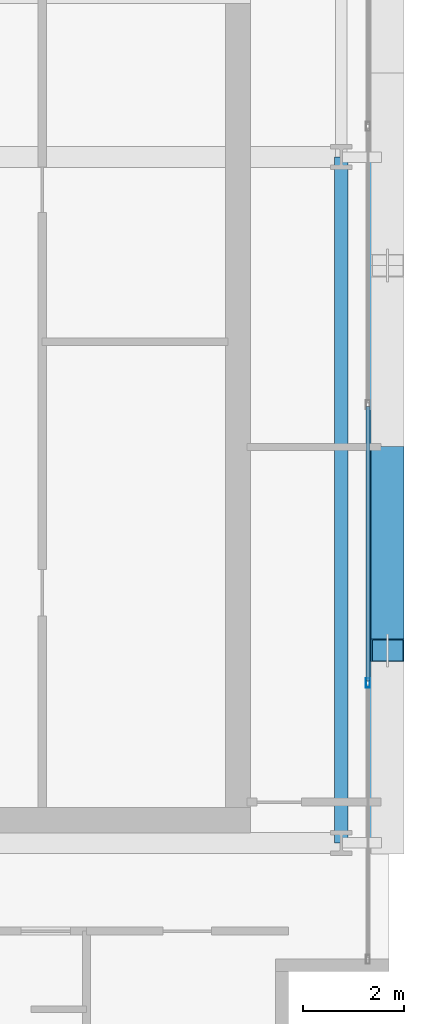
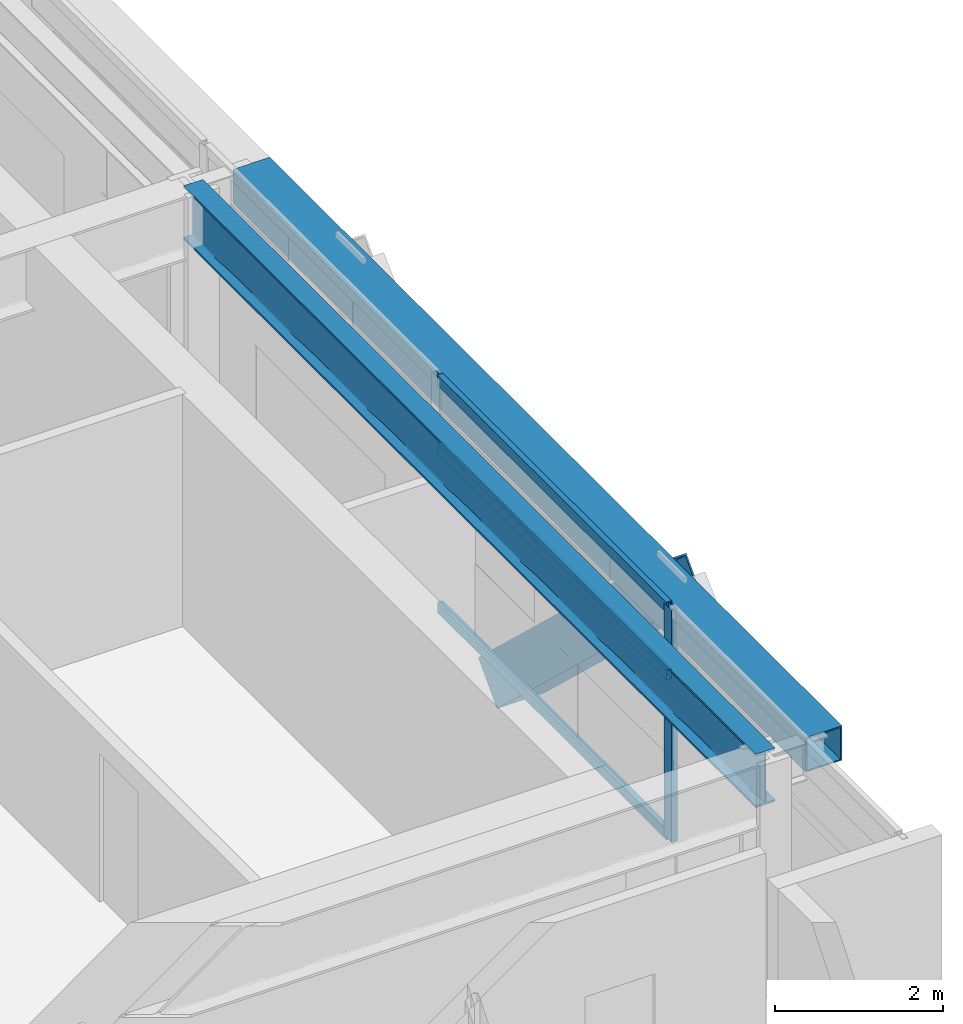
# One storey, part 12 of 30: 5 members, 2 beams, 1 element without a shape of its own.
"""IFC4 building model written with IfcOpenShell, lengths in metres."""

from ifc_helpers import new_model, si_unit, direction, frame, origin, origin_2d, place, context, subcontext, project, spatial, hollow_rectangle, i_section, extrude, source, transform, mapped, material, layer, layer_set, material_profile, profile_set, type_object, element, aggregate, save


model = new_model("IFC4")

# Units and contexts
model_context = context("Model", 3, precision=1e-05, world=origin(), true_north=direction((0.0, 1.0)))
body_context = subcontext(model_context, "Body", "Model", "MODEL_VIEW")
ifc_project = project(units=[si_unit("LENGTHUNIT", "METRE"), si_unit("AREAUNIT", "SQUARE_METRE"), si_unit("VOLUMEUNIT", "CUBIC_METRE"), si_unit("PLANEANGLEUNIT", "RADIAN"), si_unit("MASSUNIT", "GRAM", prefix="KILO")], contexts=[model_context])

# Site, building, storey
site_placement = place(None, origin())
site = spatial("IfcSite", under=ifc_project, at=site_placement, CompositionType="ELEMENT")
building_placement = place(site_placement, origin())
building = spatial("IfcBuilding", under=site, at=building_placement, Name="Ocotamira Hotel", CompositionType="ELEMENT")
storey_placement = place(building_placement, frame((0.0, 0.0, 195.60009765625)))
storey = spatial("IfcBuildingStorey", under=building, at=storey_placement, Name="L49", CompositionType="ELEMENT", Elevation=195.60009765625)

# Beams
ifc_material_1 = material(Name="Steel ASTM A992 Grade 50", Category="steel")
ifc_material_profile_1 = material_profile(ifc_material_1, i_section(OverallWidth=0.26611328125, OverallDepth=0.779052734375, WebThickness=0.0166015625, FlangeThickness=0.030029296875, FilletRadius=0.01806640625, at=origin_2d()), Name="W30X148")
ifc_profile_set_1 = profile_set([ifc_material_profile_1], Name="Steel ASTM A992 Grade 50")
beam_type_1 = type_object("IfcBeamType", Name="BM-GIRD-W30X148", PredefinedType="BEAM", material=ifc_profile_set_1)
shared_shape_1 = source(origin(), body_context, "Body", "SweptSolid", [
    extrude(i_section(OverallWidth=0.26611328125, OverallDepth=0.779052734375, WebThickness=0.0166015625, FlangeThickness=0.030029296875, FilletRadius=0.01806640625, at=origin_2d()), origin(), (0.0, 0.0, 1.0), 13.599853515625),
])
beam_1_placement = place(storey_placement, frame((55.050048828125, 14.550048828125, 2.98046875), z_axis=(0.0, 1.0, 0.0), x_axis=(-1.0, 0.0, 0.0)))
element("IfcBeam", 1, at=beam_1_placement, inside=storey, type_object=beam_type_1, Name="L49 Beam X55.05 Y14.55-28.15", PredefinedType="BEAM", context=body_context, shape_type="MappedRepresentation", body=[
    mapped(shared_shape_1, transform((0.0, 0.0, 0.0), scale=1.0)),
])
ifc_material_2 = material(Name="Steel ASTM A500 Grade C", Category="steel")
ifc_material_profile_2 = material_profile(ifc_material_2, hollow_rectangle(XDim=0.5, YDim=0.5, WallThickness=0.02001953125, at=origin_2d()), Name="HSS500X500X20")
ifc_profile_set_2 = profile_set([ifc_material_profile_2], Name="Steel ASTM A500 Grade C")
beam_type_2 = type_object("IfcBeamType", Name="BM-SPAN-HSS500", PredefinedType="USERDEFINED", material=ifc_profile_set_2)
shared_shape_2 = source(origin(), body_context, "Body", "SweptSolid", [
    extrude(hollow_rectangle(XDim=0.5, YDim=0.5, WallThickness=0.02001953125, at=origin_2d()), origin(), (0.0, 0.0, 1.0), 13.599853515625),
])
beam_2_placement = place(storey_placement, frame((55.85009765625, 14.550048828125, 3.119873046875), z_axis=(0.0, 1.0, 0.0), x_axis=(-1.0, 0.0, 0.0)))
element("IfcBeam", 2, at=beam_2_placement, inside=storey, type_object=beam_type_2, Name="L49 Edge Spandrel E Y14.55-28.15", ObjectType="SPANDREL", PredefinedType="USERDEFINED", context=body_context, shape_type="MappedRepresentation", body=[
    mapped(shared_shape_2, transform((0.0, 0.0, 0.0), scale=1.0)),
])

# Member
ifc_material_3 = material(Name="Pale-metal coated steel ASTM A913 Grade 65", Category="steel")
ifc_material_profile_3 = material_profile(ifc_material_3, hollow_rectangle(XDim=0.64990234375, YDim=0.64990234375, WallThickness=0.02197265625, at=origin_2d()), Name="BOX650X650X22")
ifc_profile_set_3 = profile_set([ifc_material_profile_3], Name="Pale-metal coated steel ASTM A913 Grade 65")
member_type_1 = type_object("IfcMemberType", Name="MEM-EXO-BOX650", PredefinedType="BRACE", material=ifc_profile_set_3)
shared_shape_3 = source(origin(), body_context, "Body", "SweptSolid", [
    extrude(hollow_rectangle(XDim=0.64990234375, YDim=0.64990234375, WallThickness=0.02197265625, at=origin_2d()), origin(), (0.0, 0.0, 1.0), 5.24658203125),
])
member_1_placement = place(storey_placement, frame((55.969970703125, 22.183349609375, -0.47998046875), z_axis=(0.0, -0.72746596067, 0.686143772154), x_axis=(1.0, 0.0, 0.0)))
element("IfcMember", 3, at=member_1_placement, inside=storey, type_object=member_type_1, Name="L49 Exoskeleton Diagrid E0.2", PredefinedType="BRACE", context=body_context, shape_type="MappedRepresentation", body=[
    mapped(shared_shape_3, transform((0.0, 0.0, 0.0), scale=1.0)),
])

# Curtain wall, members
ifc_material_4 = material(Name="Anodised pale-metal aluminium and solar glass", Category="aluminium")
ifc_layer = layer(ifc_material_4, 0.199951171875)
ifc_layer_set = layer_set([ifc_layer], Name="Anodised pale-metal aluminium and solar glass")
curtain_wall_type = type_object("IfcCurtainWallType", Name="CW-SYS4-Z3", PredefinedType="NOTDEFINED", material=ifc_layer_set)
curtain_wall_placement = place(storey_placement, origin())
curtain_wall = element("IfcCurtainWall", 4, at=curtain_wall_placement, inside=storey, type_object=curtain_wall_type, Name="L49 Curtain Wall CW-4 CW-L49-E", PredefinedType="NOTDEFINED")
ifc_material_5 = material(Name="Anodised pale-metal aluminium 6063-T6", Category="aluminium")
ifc_material_profile_4 = material_profile(ifc_material_5, hollow_rectangle(XDim=0.074951171875, YDim=0.14990234375, WallThickness=0.006103515625, at=origin_2d()), Name="HSS150X75X6")
ifc_profile_set_4 = profile_set([ifc_material_profile_4], Name="Anodised pale-metal aluminium 6063-T6")
member_type_2 = type_object("IfcMemberType", Name="CWT-150X75", PredefinedType="USERDEFINED", material=ifc_profile_set_4)
shared_shape_4 = source(origin(), body_context, "Body", "SweptSolid", [
    extrude(hollow_rectangle(XDim=0.074951171875, YDim=0.14990234375, WallThickness=0.006103515625, at=origin_2d()), origin(), (0.0, 0.0, 1.0), 5.43994140625),
])
member_2_placement = place(storey_placement, frame((55.580078125, 17.760009765625, 0.037353515625), z_axis=(0.0, 1.0, 0.0), x_axis=(-1.0, 0.0, 0.0)))
member_2 = element("IfcMember", 5, at=member_2_placement, type_object=member_type_2, Name="CW-4 transom 2.1", ObjectType="TRANSOM", PredefinedType="USERDEFINED", context=body_context, shape_type="MappedRepresentation", body=[
    mapped(shared_shape_4, transform((0.0, 0.0, 0.0), scale=1.0)),
])
member_3_placement = place(storey_placement, frame((55.580078125, 17.760009765625, 2.349853515625), z_axis=(0.0, 1.0, 0.0), x_axis=(-1.0, 0.0, 0.0)))
member_3 = element("IfcMember", 6, at=member_3_placement, type_object=member_type_2, Name="CW-4 transom 2.2", ObjectType="TRANSOM", PredefinedType="USERDEFINED", context=body_context, shape_type="MappedRepresentation", body=[
    mapped(shared_shape_4, transform((0.0, 0.0, 0.0), scale=1.0)),
])
member_4_placement = place(storey_placement, frame((55.580078125, 17.760009765625, 3.33251953125), z_axis=(0.0, 1.0, 0.0), x_axis=(-1.0, 0.0, 0.0)))
member_4 = element("IfcMember", 7, at=member_4_placement, type_object=member_type_2, Name="CW-4 transom 2.3", ObjectType="TRANSOM", PredefinedType="USERDEFINED", context=body_context, shape_type="MappedRepresentation", body=[
    mapped(shared_shape_4, transform((0.0, 0.0, 0.0), scale=1.0)),
])
ifc_material_profile_5 = material_profile(ifc_material_5, hollow_rectangle(XDim=0.080078125, YDim=0.179931640625, WallThickness=0.006103515625, at=origin_2d()), Name="HSS180X80X6")
ifc_profile_set_5 = profile_set([ifc_material_profile_5], Name="Anodised pale-metal aluminium 6063-T6")
member_type_3 = type_object("IfcMemberType", Name="CWM-180X75", PredefinedType="MULLION", material=ifc_profile_set_5)
shared_shape_5 = source(origin(), body_context, "Body", "SweptSolid", [
    extrude(hollow_rectangle(XDim=0.080078125, YDim=0.179931640625, WallThickness=0.006103515625, at=origin_2d()), origin(), (0.0, 0.0, 1.0), 3.369873046875),
])
member_5_placement = place(storey_placement, frame((55.580078125, 17.719970703125, 0.0), z_axis=(0.0, 0.0, 1.0), x_axis=(-1.0, 0.0, 0.0)))
member_5 = element("IfcMember", 8, at=member_5_placement, type_object=member_type_3, Name="CW-4 mullion 2", PredefinedType="MULLION", context=body_context, shape_type="MappedRepresentation", body=[
    mapped(shared_shape_5, transform((0.0, 0.0, 0.0), scale=1.0)),
])
aggregate(curtain_wall, [member_5, member_2, member_3, member_4])

save(model, "model.ifc")
